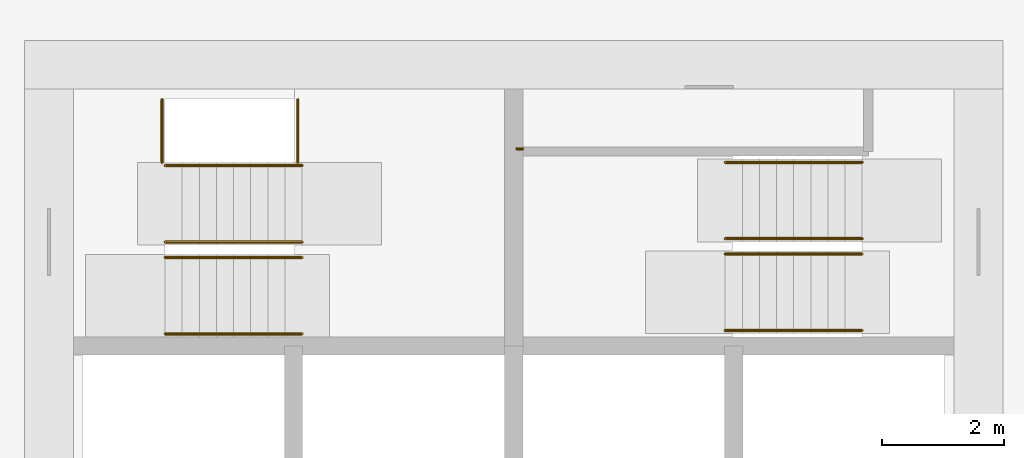
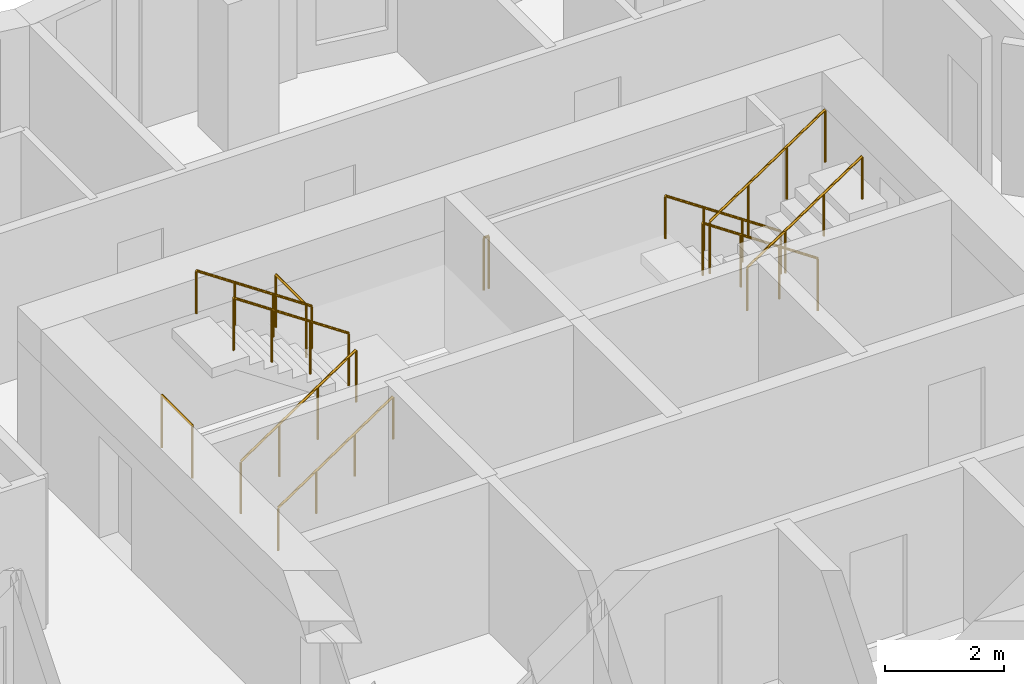
# One storey, part 12 of 13: 11 railings.
"""IFC4 building model written with IfcOpenShell, lengths in metres."""

from ifc_helpers import new_model, si_unit, direction, frame, origin, origin_2d, place, context, subcontext, project, spatial, circle, extrude, material, type_object, element, save


model = new_model("IFC4")

# Units and contexts
model_context = context("Model", 3, precision=1e-05, world=origin(), true_north=direction((0.0, 1.0)))
body_context = subcontext(model_context, "Body", "Model", "MODEL_VIEW")
ifc_project = project(units=[si_unit("LENGTHUNIT", "METRE"), si_unit("AREAUNIT", "SQUARE_METRE"), si_unit("VOLUMEUNIT", "CUBIC_METRE"), si_unit("PLANEANGLEUNIT", "RADIAN"), si_unit("MASSUNIT", "GRAM", prefix="KILO")], contexts=[model_context])

# Site, building, storey
site_placement = place(None, origin())
site = spatial("IfcSite", under=ifc_project, at=site_placement, CompositionType="ELEMENT")
building_placement = place(site_placement, origin())
building = spatial("IfcBuilding", under=site, at=building_placement, Name="Windrow Commons", CompositionType="ELEMENT")
storey_placement = place(building_placement, frame((0.0, 0.0, 115.2)))
storey = spatial("IfcBuildingStorey", under=building, at=storey_placement, Name="L31", CompositionType="ELEMENT", Elevation=115.2)

# Railings
ifc_material_1 = material(Name="Steel S355", Category="steel")
railing_type_1 = type_object("IfcRailingType", Name="Core stair guard 1100", PredefinedType="GUARDRAIL", material=ifc_material_1)
railing_1_placement = place(storey_placement, frame((59.1, 62.05, 0.1889)))
element("IfcRailing", 1, at=railing_1_placement, inside=storey, type_object=railing_type_1, Name="L31 ST-A1 stair guard 1", PredefinedType="GUARDRAIL", context=body_context, shape_type="SweptSolid", body=[
    extrude(circle(Radius=0.024, at=origin_2d()), frame((0.0, 0.0, 1.076), z_axis=(0.8290030985, 0.0, 0.5592440099), x_axis=(0.0, 1.0, 0.0)), (0.0, 0.0, 1.0), 2.702),
    extrude(circle(Radius=0.021, at=origin_2d()), origin(), (0.0, 0.0, 1.0), 1.052),
    extrude(circle(Radius=0.021, at=origin_2d()), frame((0.7467, 0.0, 0.5037)), (0.0, 0.0, 1.0), 1.052),
    extrude(circle(Radius=0.021, at=origin_2d()), frame((1.4933, 0.0, 1.0074)), (0.0, 0.0, 1.0), 1.052),
    extrude(circle(Radius=0.021, at=origin_2d()), frame((2.24, 0.0, 1.5111)), (0.0, 0.0, 1.0), 1.052),
])
railing_2_placement = place(storey_placement, frame((61.34, 62.3, 1.8889)))
element("IfcRailing", 2, at=railing_2_placement, inside=storey, type_object=railing_type_1, Name="L31 ST-A1 stair guard 2", PredefinedType="GUARDRAIL", context=body_context, shape_type="SweptSolid", body=[
    extrude(circle(Radius=0.024, at=origin_2d()), frame((0.0, 0.0, 1.076), z_axis=(-0.8290030985, 0.0, 0.5592440099), x_axis=(0.0, -1.0, 0.0)), (0.0, 0.0, 1.0), 2.702),
    extrude(circle(Radius=0.021, at=origin_2d()), origin(), (0.0, 0.0, 1.0), 1.052),
    extrude(circle(Radius=0.021, at=origin_2d()), frame((-0.7467, 0.0, 0.5037)), (0.0, 0.0, 1.0), 1.052),
    extrude(circle(Radius=0.021, at=origin_2d()), frame((-1.4933, 0.0, 1.0074)), (0.0, 0.0, 1.0), 1.052),
    extrude(circle(Radius=0.021, at=origin_2d()), frame((-2.24, 0.0, 1.5111)), (0.0, 0.0, 1.0), 1.052),
])
for number, where, name in (
    (3, (59.05, 63.6, 0.0), "L31 ST-A1 stair guard 3"),
    (4, (61.27, 63.6, 1.7), "L31 ST-A1 stair guard 4"),
):
    element("IfcRailing", number, at=place(storey_placement, frame(where)), inside=storey, type_object=railing_type_1, Name=name, PredefinedType="GUARDRAIL", context=body_context, shape_type="SweptSolid", body=[
        extrude(circle(Radius=0.024, at=origin_2d()), frame((0.0, 0.0, 1.076), z_axis=(0.0, 1.0, 0.0), x_axis=(-1.0, 0.0, 0.0)), (0.0, 0.0, 1.0), 1.03),
        extrude(circle(Radius=0.021, at=origin_2d()), origin(), (0.0, 0.0, 1.0), 1.052),
        extrude(circle(Radius=0.021, at=origin_2d()), frame((0.0, 1.03, 0.0)), (0.0, 0.0, 1.0), 1.052),
    ])
railing_3_placement = place(storey_placement, frame((70.5, 62.355, 0.1889)))
element("IfcRailing", 5, at=railing_3_placement, inside=storey, type_object=railing_type_1, Name="L31 ST-A2 stair guard 1", PredefinedType="GUARDRAIL", context=body_context, shape_type="SweptSolid", body=[
    extrude(circle(Radius=0.024, at=origin_2d()), frame((0.0, 0.0, 1.076), z_axis=(-0.8290030985, 0.0, 0.5592440099), x_axis=(0.0, -1.0, 0.0)), (0.0, 0.0, 1.0), 2.702),
    extrude(circle(Radius=0.021, at=origin_2d()), origin(), (0.0, 0.0, 1.0), 1.052),
    extrude(circle(Radius=0.021, at=origin_2d()), frame((-0.7467, 0.0, 0.5037)), (0.0, 0.0, 1.0), 1.052),
    extrude(circle(Radius=0.021, at=origin_2d()), frame((-1.4933, 0.0, 1.0074)), (0.0, 0.0, 1.0), 1.052),
    extrude(circle(Radius=0.021, at=origin_2d()), frame((-2.24, 0.0, 1.5111)), (0.0, 0.0, 1.0), 1.052),
])
railing_4_placement = place(storey_placement, frame((68.26, 62.105, 1.8889)))
element("IfcRailing", 6, at=railing_4_placement, inside=storey, type_object=railing_type_1, Name="L31 ST-A2 stair guard 2", PredefinedType="GUARDRAIL", context=body_context, shape_type="SweptSolid", body=[
    extrude(circle(Radius=0.024, at=origin_2d()), frame((0.0, 0.0, 1.076), z_axis=(0.8290030985, 0.0, 0.5592440099), x_axis=(0.0, 1.0, 0.0)), (0.0, 0.0, 1.0), 2.702),
    extrude(circle(Radius=0.021, at=origin_2d()), origin(), (0.0, 0.0, 1.0), 1.052),
    extrude(circle(Radius=0.021, at=origin_2d()), frame((0.7467, 0.0, 0.5037)), (0.0, 0.0, 1.0), 1.052),
    extrude(circle(Radius=0.021, at=origin_2d()), frame((1.4933, 0.0, 1.0074)), (0.0, 0.0, 1.0), 1.052),
    extrude(circle(Radius=0.021, at=origin_2d()), frame((2.24, 0.0, 1.5111)), (0.0, 0.0, 1.0), 1.052),
])
railing_5_placement = place(storey_placement, frame((64.95, 63.825, 1.7)))
element("IfcRailing", 7, at=railing_5_placement, inside=storey, type_object=railing_type_1, Name="L31 ST-A2 stair guard 3", PredefinedType="GUARDRAIL", context=body_context, shape_type="SweptSolid", body=[
    extrude(circle(Radius=0.024, at=origin_2d()), frame((0.0, 0.0, 1.076), z_axis=(-1.0, 0.0, 0.0), x_axis=(0.0, -1.0, 0.0)), (0.0, 0.0, 1.0), 0.1),
    extrude(circle(Radius=0.021, at=origin_2d()), origin(), (0.0, 0.0, 1.0), 1.052),
    extrude(circle(Radius=0.021, at=origin_2d()), frame((-0.1, 0.0, 0.0)), (0.0, 0.0, 1.0), 1.052),
])
ifc_material_2 = material(Name="Steel S355", Category="steel")
railing_type_2 = type_object("IfcRailingType", Name="Core stair handrail 900", PredefinedType="HANDRAIL", material=ifc_material_2)
railing_6_placement = place(storey_placement, frame((59.1, 60.8, 0.1889)))
element("IfcRailing", 8, at=railing_6_placement, inside=storey, type_object=railing_type_2, Name="L31 ST-A1 stair handrail 1", PredefinedType="HANDRAIL", context=body_context, shape_type="SweptSolid", body=[
    extrude(circle(Radius=0.024, at=origin_2d()), frame((0.0, 0.0, 0.876), z_axis=(0.8290030985, 0.0, 0.5592440099), x_axis=(0.0, 1.0, 0.0)), (0.0, 0.0, 1.0), 2.702),
    extrude(circle(Radius=0.021, at=origin_2d()), origin(), (0.0, 0.0, 1.0), 0.852),
    extrude(circle(Radius=0.021, at=origin_2d()), frame((0.7467, 0.0, 0.5037)), (0.0, 0.0, 1.0), 0.852),
    extrude(circle(Radius=0.021, at=origin_2d()), frame((1.4933, 0.0, 1.0074)), (0.0, 0.0, 1.0), 0.852),
    extrude(circle(Radius=0.021, at=origin_2d()), frame((2.24, 0.0, 1.5111)), (0.0, 0.0, 1.0), 0.852),
])
for number, where, name in (
    (9, (61.34, 63.55, 1.8889), "L31 ST-A1 stair handrail 2"),
    (10, (70.5, 63.605, 0.1889), "L31 ST-A2 stair handrail 1"),
):
    element("IfcRailing", number, at=place(storey_placement, frame(where)), inside=storey, type_object=railing_type_2, Name=name, PredefinedType="HANDRAIL", context=body_context, shape_type="SweptSolid", body=[
        extrude(circle(Radius=0.024, at=origin_2d()), frame((0.0, 0.0, 0.876), z_axis=(-0.8290030985, 0.0, 0.5592440099), x_axis=(0.0, -1.0, 0.0)), (0.0, 0.0, 1.0), 2.702),
        extrude(circle(Radius=0.021, at=origin_2d()), origin(), (0.0, 0.0, 1.0), 0.852),
        extrude(circle(Radius=0.021, at=origin_2d()), frame((-0.7467, 0.0, 0.5037)), (0.0, 0.0, 1.0), 0.852),
        extrude(circle(Radius=0.021, at=origin_2d()), frame((-1.4933, 0.0, 1.0074)), (0.0, 0.0, 1.0), 0.852),
        extrude(circle(Radius=0.021, at=origin_2d()), frame((-2.24, 0.0, 1.5111)), (0.0, 0.0, 1.0), 0.852),
    ])
railing_7_placement = place(storey_placement, frame((68.26, 60.855, 1.8889)))
element("IfcRailing", 11, at=railing_7_placement, inside=storey, type_object=railing_type_2, Name="L31 ST-A2 stair handrail 2", PredefinedType="HANDRAIL", context=body_context, shape_type="SweptSolid", body=[
    extrude(circle(Radius=0.024, at=origin_2d()), frame((0.0, 0.0, 0.876), z_axis=(0.8290030985, 0.0, 0.5592440099), x_axis=(0.0, 1.0, 0.0)), (0.0, 0.0, 1.0), 2.702),
    extrude(circle(Radius=0.021, at=origin_2d()), origin(), (0.0, 0.0, 1.0), 0.852),
    extrude(circle(Radius=0.021, at=origin_2d()), frame((0.7467, 0.0, 0.5037)), (0.0, 0.0, 1.0), 0.852),
    extrude(circle(Radius=0.021, at=origin_2d()), frame((1.4933, 0.0, 1.0074)), (0.0, 0.0, 1.0), 0.852),
    extrude(circle(Radius=0.021, at=origin_2d()), frame((2.24, 0.0, 1.5111)), (0.0, 0.0, 1.0), 0.852),
])

save(model, "model.ifc")
